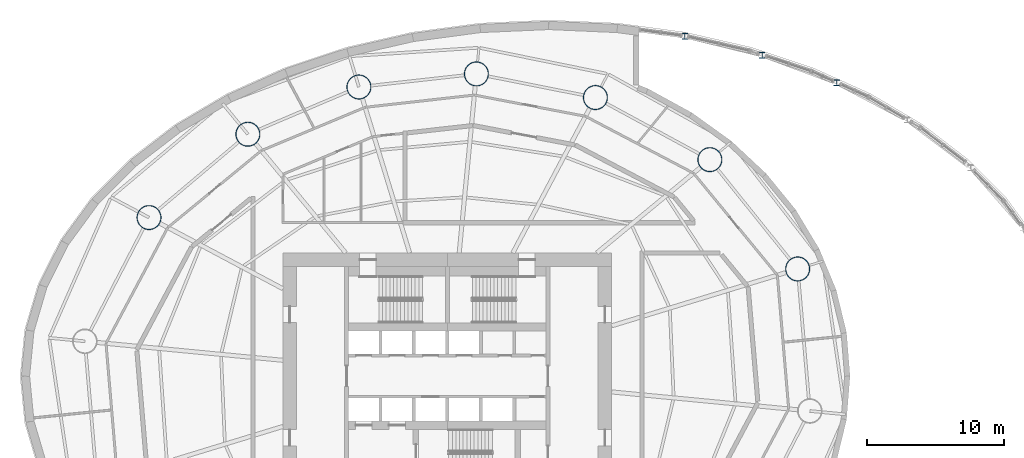
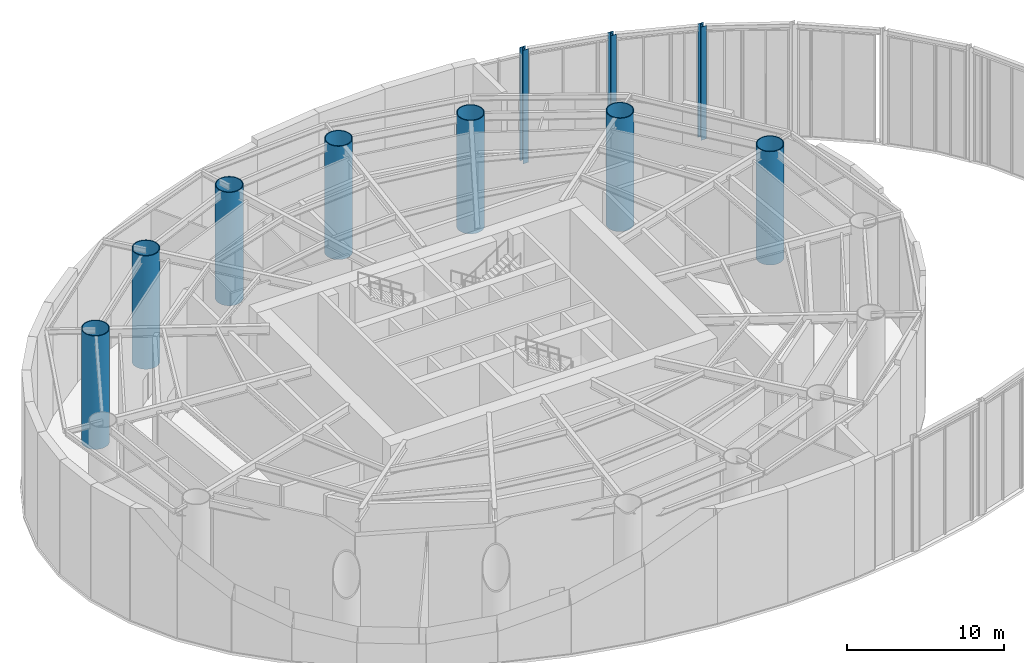
# One storey, part 2 of 19: 10 columns.
"""IFC4 building model written with IfcOpenShell, lengths in metres."""

from ifc_helpers import new_model, si_unit, direction, frame, origin, origin_2d, place, context, subcontext, project, spatial, hollow_circle, i_section, extrude, material, material_profile, profile_set, type_object, element, save


model = new_model("IFC4")

# Units and contexts
model_context = context("Model", 3, precision=1e-05, world=origin(), true_north=direction((0.0, 1.0)))
body_context = subcontext(model_context, "Body", "Model", "MODEL_VIEW")
ifc_project = project(units=[si_unit("LENGTHUNIT", "METRE"), si_unit("AREAUNIT", "SQUARE_METRE"), si_unit("VOLUMEUNIT", "CUBIC_METRE"), si_unit("PLANEANGLEUNIT", "RADIAN"), si_unit("MASSUNIT", "GRAM", prefix="KILO")], contexts=[model_context])

# Site, building, storey
site_placement = place(None, origin())
site = spatial("IfcSite", under=ifc_project, at=site_placement, CompositionType="ELEMENT")
building_placement = place(site_placement, origin())
building = spatial("IfcBuilding", under=site, at=building_placement, Name="Vermilion Reach Broadcast Tower", CompositionType="ELEMENT")
storey_placement = place(building_placement, frame((0.0, 0.0, 17.0)))
storey = spatial("IfcBuildingStorey", under=building, at=storey_placement, Name="L02", CompositionType="ELEMENT", Elevation=17.0)

# Columns
ifc_material_1 = material(Name="Steel S460NL", Category="steel")
ifc_material_profile_1 = material_profile(ifc_material_1, i_section(OverallWidth=0.406982421875, OverallDepth=0.427978515625, WebThickness=0.02001953125, FlangeThickness=0.034912109375, at=origin_2d()), Name="S460NL HW 428x407x20x35")
ifc_profile_set_1 = profile_set([ifc_material_profile_1], Name="Steel S460NL")
column_type_1 = type_object("IfcColumnType", Name="AP HW 428x407x20x35", PredefinedType="COLUMN", material=ifc_profile_set_1)
for number, where, z_axis, x_axis, name in (
    (1, (22.43115234375, 21.408935546875, 0.0), (0.0, 0.0, 1.0), (1.0, 0.0, 0.0), "Atrium post AP13"),
    (2, (16.984619140625, 23.43505859375, 0.0), (0.0, 0.0, 1.0), (1.0, 0.0, 0.0), "Atrium post AP14"),
    (3, (11.337158203125, 24.81884765625, 0.0), (0.0, 0.0, 1.0), (1.0, 0.0, 0.0), "Atrium post AP15"),
):
    element("IfcColumn", number, at=place(storey_placement, frame(where, z_axis=z_axis, x_axis=x_axis)), inside=storey, type_object=column_type_1, Name=name, PredefinedType="COLUMN", context=body_context, shape_type="SweptSolid", body=[
        extrude(i_section(OverallWidth=0.406982421875, OverallDepth=0.427978515625, WebThickness=0.02001953125, FlangeThickness=0.034912109375, at=origin_2d()), origin(), (0.0, 0.0, 1.0), 8.800048828125),
    ])
ifc_material_2 = material(Name="Concrete C80 infill in steel S460NL tube", Category="concrete")
ifc_material_profile_2 = material_profile(ifc_material_2, hollow_circle(Radius=0.89990234375, WallThickness=0.06005859375, at=origin_2d()), Name="Concrete C80 infill in steel S460NL tube CFT 1800x60")
ifc_profile_set_2 = profile_set([ifc_material_profile_2], Name="Concrete C80 infill in steel S460NL tube")
column_type_2 = type_object("IfcColumnType", Name="MC1 CFT 1800x60", PredefinedType="COLUMN", material=ifc_profile_set_2)
for number, where, z_axis, x_axis, name in (
    (4, (19.575439453125, 7.823974609375, 0.0), (0.0, 0.0, 1.0), (1.0, 0.0, 0.0), "Mega-column MC1-01"),
    (5, (13.166259765625, 15.804931640625, 0.0), (0.0, 0.0, 1.0), (1.0, 0.0, 0.0), "Mega-column MC1-02"),
    (6, (4.809814453125, 20.3388671875, 0.0), (0.0, 0.0, 1.0), (1.0, 0.0, 0.0), "Mega-column MC1-03"),
    (7, (-3.87939453125, 22.06396484375, 0.0), (0.0, 0.0, 1.0), (1.0, 0.0, 0.0), "Mega-column MC1-04"),
    (8, (-12.45751953125, 21.108154296875, 0.0), (0.0, 0.0, 1.0), (1.0, 0.0, 0.0), "Mega-column MC1-05"),
    (9, (-20.563232421875, 17.660400390625, 0.0), (0.0, 0.0, 1.0), (1.0, 0.0, 0.0), "Mega-column MC1-06"),
    (10, (-27.77978515625, 11.57568359375, 0.0), (0.0, 0.0, 1.0), (1.0, 0.0, 0.0), "Mega-column MC1-07"),
):
    element("IfcColumn", number, at=place(storey_placement, frame(where, z_axis=z_axis, x_axis=x_axis)), inside=storey, type_object=column_type_2, Name=name, PredefinedType="COLUMN", context=body_context, shape_type="SweptSolid", body=[
        extrude(hollow_circle(Radius=0.89990234375, WallThickness=0.06005859375, at=origin_2d()), origin(), (0.0, 0.0, 1.0), 8.800048828125),
    ])

save(model, "model.ifc")
